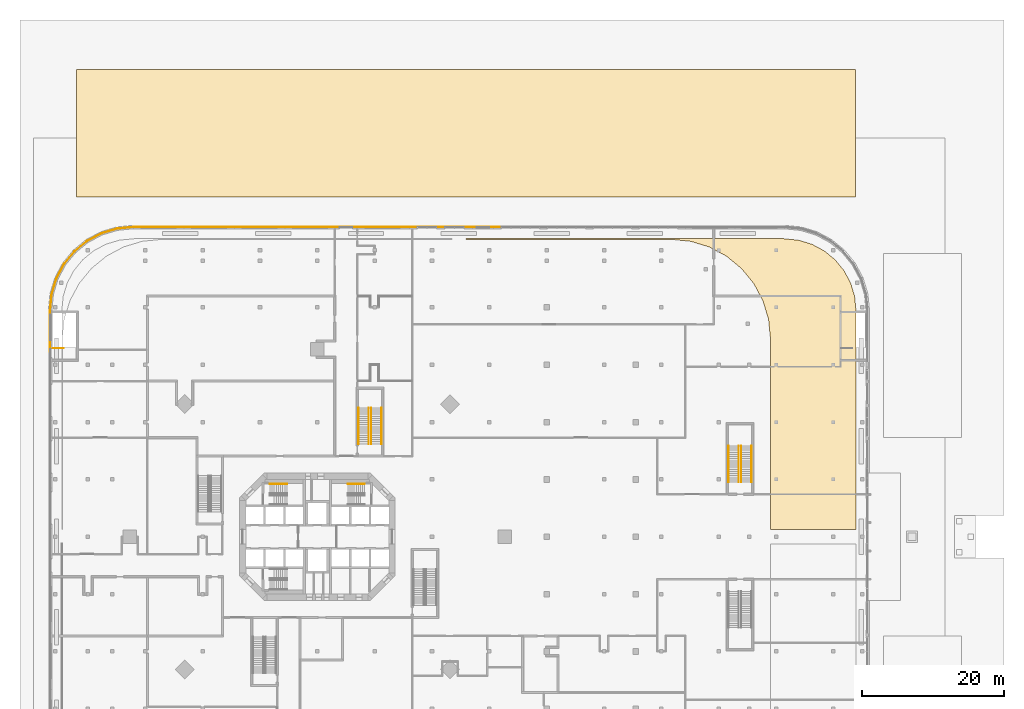
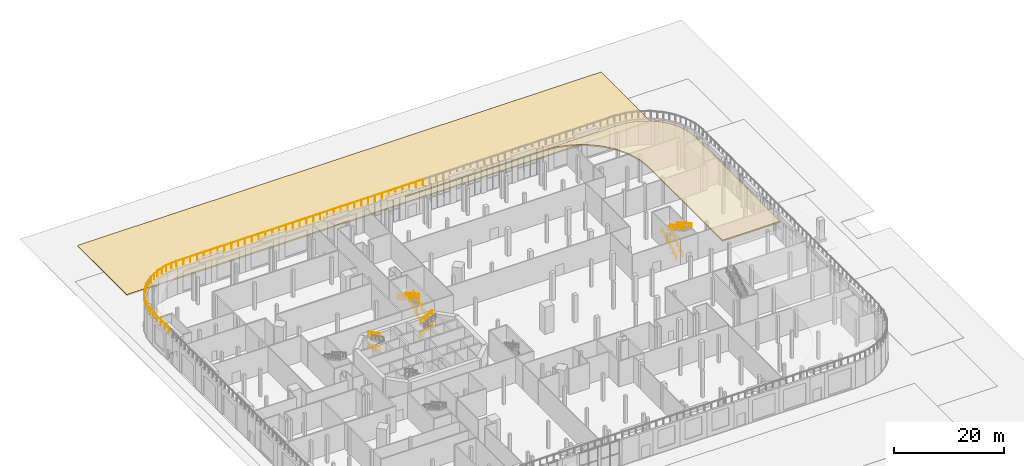
# One storey, part 30 of 32: 31 railings, 2 coverings, 2 elements without a shape of their own.
"""IFC4 building model written with IfcOpenShell, lengths in metres."""

from ifc_helpers import new_model, si_unit, direction, frame, origin, origin_2d, place, context, subcontext, project, spatial, polyline, rectangle, outline, extrude, material, layer, layer_set, type_object, element, aggregate, save


model = new_model("IFC4")

# Units and contexts
model_context = context("Model", 3, precision=1e-05, world=origin(), true_north=direction((0.0, 1.0)))
body_context = subcontext(model_context, "Body", "Model", "MODEL_VIEW")
ifc_project = project(units=[si_unit("LENGTHUNIT", "METRE"), si_unit("AREAUNIT", "SQUARE_METRE"), si_unit("VOLUMEUNIT", "CUBIC_METRE"), si_unit("PLANEANGLEUNIT", "RADIAN"), si_unit("MASSUNIT", "GRAM", prefix="KILO")], contexts=[model_context])

# Site, building, storey
site_placement = place(None, origin())
site = spatial("IfcSite", under=ifc_project, at=site_placement, CompositionType="ELEMENT")
building_placement = place(site_placement, origin())
building = spatial("IfcBuilding", under=site, at=building_placement, Name="Torre Triforio", CompositionType="ELEMENT")
storey_placement = place(building_placement, origin())
storey = spatial("IfcBuildingStorey", under=building, at=storey_placement, Name="L00", CompositionType="ELEMENT", Elevation=0.0)

# Railings
ifc_material_1 = material(Name="Stainless steel AISI 316", Category="steel")
railing_type_1 = type_object("IfcRailingType", Name="HANDRAIL 920", PredefinedType="HANDRAIL", material=ifc_material_1)
for number, where, name in (
    (1, (-4.300048828125, 7.449951171875, 1.666748046875), "Handrail ST1"),
    (2, (-4.300048828125, 7.449951171875, 4.666748046875), "Handrail ST1"),
):
    element("IfcRailing", number, at=place(storey_placement, frame(where)), inside=storey, type_object=railing_type_1, Name=name, PredefinedType="HANDRAIL", context=body_context, shape_type="SweptSolid", body=[
        extrude(rectangle(XDim=0.048095703125, YDim=0.048095703125, at=origin_2d()), frame((0.0, 0.0, 0.89599609375), z_axis=(-0.874161470802, 0.0, 0.485635380677), x_axis=(0.0, -1.0, 0.0)), (0.0, 0.0, 1.0), 2.745361328125),
        extrude(rectangle(XDim=0.0419921875, YDim=0.0419921875, at=origin_2d()), origin(), (0.0, 0.0, 1.0), 0.871826171875),
        extrude(rectangle(XDim=0.0419921875, YDim=0.0419921875, at=origin_2d()), frame((-0.800048828125, 0.0, 0.4443359375)), (0.0, 0.0, 1.0), 0.871826171875),
        extrude(rectangle(XDim=0.0419921875, YDim=0.0419921875, at=origin_2d()), frame((-1.599853515625, 0.0, 0.888916015625)), (0.0, 0.0, 1.0), 0.871826171875),
        extrude(rectangle(XDim=0.0419921875, YDim=0.0419921875, at=origin_2d()), frame((-2.39990234375, 0.0, 1.333251953125)), (0.0, 0.0, 1.0), 0.871826171875),
    ])
for number, where, name in (
    (3, (4.300048828125, 7.449951171875, 1.666748046875), "Handrail ST2"),
    (4, (4.300048828125, 7.449951171875, 4.666748046875), "Handrail ST2"),
):
    element("IfcRailing", number, at=place(storey_placement, frame(where)), inside=storey, type_object=railing_type_1, Name=name, PredefinedType="HANDRAIL", context=body_context, shape_type="SweptSolid", body=[
        extrude(rectangle(XDim=0.048095703125, YDim=0.048095703125, at=origin_2d()), frame((0.0, 0.0, 0.89599609375), z_axis=(0.874161470802, 0.0, 0.485635380677), x_axis=(0.0, 1.0, 0.0)), (0.0, 0.0, 1.0), 2.745361328125),
        extrude(rectangle(XDim=0.0419921875, YDim=0.0419921875, at=origin_2d()), origin(), (0.0, 0.0, 1.0), 0.871826171875),
        extrude(rectangle(XDim=0.0419921875, YDim=0.0419921875, at=origin_2d()), frame((0.800048828125, 0.0, 0.4443359375)), (0.0, 0.0, 1.0), 0.871826171875),
        extrude(rectangle(XDim=0.0419921875, YDim=0.0419921875, at=origin_2d()), frame((1.599853515625, 0.0, 0.888916015625)), (0.0, 0.0, 1.0), 0.871826171875),
        extrude(rectangle(XDim=0.0419921875, YDim=0.0419921875, at=origin_2d()), frame((2.39990234375, 0.0, 1.333251953125)), (0.0, 0.0, 1.0), 0.871826171875),
    ])

# Coverings
ifc_material_2 = material(Name="Planted topsoil bed")
ifc_layer = layer(ifc_material_2, 0.300048828125)
ifc_layer_set = layer_set([ifc_layer], Name="Planted topsoil bed")
covering_type = type_object("IfcCoveringType", Name="Planted bed 300", PredefinedType="FLOORING", material=ifc_layer_set)
covering_1_placement = place(storey_placement, frame((0.0, 0.0, -0.25)))
element("IfcCovering", 5, at=covering_1_placement, inside=storey, type_object=covering_type, Name="Public garden planted bed north", PredefinedType="FLOORING", context=body_context, shape_type="SweptSolid", body=[
    extrude(outline(polyline([(76.0, 48.0), (76.0, 66.0), (-34.0, 66.0), (-34.0, 48.0), (76.0, 48.0)])), origin(), (0.0, 0.0, 1.0), 0.300048828125),
])
covering_2_placement = place(storey_placement, frame((0.0, 0.0, 6.0)))
element("IfcCovering", 6, at=covering_2_placement, inside=storey, type_object=covering_type, Name="Terrace T1 planted bed 4", PredefinedType="FLOORING", context=body_context, shape_type="SweptSolid", body=[
    extrude(outline(polyline([(65.90673828125, 42.10009765625), (67.968505859375, 41.89697265625), (69.861572265625, 41.32275390625), (71.606201171875, 40.39013671875), (73.13525390625, 39.13525390625), (74.39013671875, 37.606201171875), (75.32275390625, 35.861572265625), (75.89697265625, 33.968505859375), (76.10009765625, 31.90673828125), (76.10009765625, 1.0), (64.0, 1.0), (64.0, 28.098388671875), (63.740478515625, 30.733154296875), (62.943359375, 33.361328125), (61.648681640625, 35.783447265625), (59.90625, 37.90625), (57.783447265625, 39.648681640625), (55.361328125, 40.943359375), (52.733154296875, 41.740478515625), (50.098388671875, 42.0), (21.0, 42.0), (21.0, 42.10009765625), (65.90673828125, 42.10009765625)])), origin(), (0.0, 0.0, 1.0), 0.300048828125),
])

# Stair, railings
ifc_material_3 = material(Name="Concrete C40", Category="concrete")
stair_type = type_object("IfcStairType", Name="Egress stair 1400 clear", PredefinedType="NOTDEFINED", material=ifc_material_3)
stair_1_placement = place(storey_placement, origin())
stair_1 = element("IfcStair", 7, at=stair_1_placement, inside=storey, type_object=stair_type, Name="Exit stair PS4 L00 to L01", PredefinedType="NOTDEFINED")
railing_type_2 = type_object("IfcRailingType", Name="Stair handrail 920", PredefinedType="HANDRAIL", material=ifc_material_1)
railing_1_placement = place(storey_placement, frame((7.625, 13.125, 0.166748046875)))
railing_1 = element("IfcRailing", 8, at=railing_1_placement, type_object=railing_type_2, Name="Handrail PS4", PredefinedType="HANDRAIL", context=body_context, shape_type="SweptSolid", body=[
    extrude(rectangle(XDim=0.048095703125, YDim=0.048095703125, at=origin_2d()), frame((0.0, 0.0, 0.89599609375), z_axis=(0.0, 0.874167145328, 0.485625166182), x_axis=(-1.0, 0.0, 0.0)), (0.0, 0.0, 1.0), 5.834228515625),
    extrude(rectangle(XDim=0.0419921875, YDim=0.0419921875, at=origin_2d()), origin(), (0.0, 0.0, 1.0), 0.871826171875),
    extrude(rectangle(XDim=0.0419921875, YDim=0.0419921875, at=origin_2d()), frame((0.0, 1.02001953125, 0.566650390625)), (0.0, 0.0, 1.0), 0.871826171875),
    extrude(rectangle(XDim=0.0419921875, YDim=0.0419921875, at=origin_2d()), frame((0.0, 2.0400390625, 1.13330078125)), (0.0, 0.0, 1.0), 0.871826171875),
    extrude(rectangle(XDim=0.0419921875, YDim=0.0419921875, at=origin_2d()), frame((0.0, 3.06005859375, 1.699951171875)), (0.0, 0.0, 1.0), 0.871826171875),
    extrude(rectangle(XDim=0.0419921875, YDim=0.0419921875, at=origin_2d()), frame((0.0, 4.080078125, 2.2666015625)), (0.0, 0.0, 1.0), 0.871826171875),
    extrude(rectangle(XDim=0.0419921875, YDim=0.0419921875, at=origin_2d()), frame((0.0, 5.10009765625, 2.833251953125)), (0.0, 0.0, 1.0), 0.871826171875),
])
railing_2_placement = place(storey_placement, frame((9.074951171875, 13.125, 0.166748046875)))
railing_2 = element("IfcRailing", 9, at=railing_2_placement, type_object=railing_type_2, Name="Handrail PS4", PredefinedType="HANDRAIL", context=body_context, shape_type="SweptSolid", body=[
    extrude(rectangle(XDim=0.048095703125, YDim=0.048095703125, at=origin_2d()), frame((0.0, 0.0, 0.89599609375), z_axis=(0.0, 0.874167145328, 0.485625166182), x_axis=(-1.0, 0.0, 0.0)), (0.0, 0.0, 1.0), 5.834228515625),
    extrude(rectangle(XDim=0.0419921875, YDim=0.0419921875, at=origin_2d()), origin(), (0.0, 0.0, 1.0), 0.871826171875),
    extrude(rectangle(XDim=0.0419921875, YDim=0.0419921875, at=origin_2d()), frame((0.0, 1.02001953125, 0.566650390625)), (0.0, 0.0, 1.0), 0.871826171875),
    extrude(rectangle(XDim=0.0419921875, YDim=0.0419921875, at=origin_2d()), frame((0.0, 2.0400390625, 1.13330078125)), (0.0, 0.0, 1.0), 0.871826171875),
    extrude(rectangle(XDim=0.0419921875, YDim=0.0419921875, at=origin_2d()), frame((0.0, 3.06005859375, 1.699951171875)), (0.0, 0.0, 1.0), 0.871826171875),
    extrude(rectangle(XDim=0.0419921875, YDim=0.0419921875, at=origin_2d()), frame((0.0, 4.080078125, 2.2666015625)), (0.0, 0.0, 1.0), 0.871826171875),
    extrude(rectangle(XDim=0.0419921875, YDim=0.0419921875, at=origin_2d()), frame((0.0, 5.10009765625, 2.833251953125)), (0.0, 0.0, 1.0), 0.871826171875),
])
railing_3_placement = place(storey_placement, frame((5.824951171875, 18.22509765625, 3.166748046875)))
railing_3 = element("IfcRailing", 10, at=railing_3_placement, type_object=railing_type_2, Name="Handrail PS4", PredefinedType="HANDRAIL", context=body_context, shape_type="SweptSolid", body=[
    extrude(rectangle(XDim=0.048095703125, YDim=0.048095703125, at=origin_2d()), frame((0.0, 0.0, 0.89599609375), z_axis=(0.0, -0.874167145328, 0.485625166182), x_axis=(1.0, 0.0, 0.0)), (0.0, 0.0, 1.0), 5.834228515625),
    extrude(rectangle(XDim=0.0419921875, YDim=0.0419921875, at=origin_2d()), origin(), (0.0, 0.0, 1.0), 0.871826171875),
    extrude(rectangle(XDim=0.0419921875, YDim=0.0419921875, at=origin_2d()), frame((0.0, -1.02001953125, 0.566650390625)), (0.0, 0.0, 1.0), 0.871826171875),
    extrude(rectangle(XDim=0.0419921875, YDim=0.0419921875, at=origin_2d()), frame((0.0, -2.0400390625, 1.13330078125)), (0.0, 0.0, 1.0), 0.871826171875),
    extrude(rectangle(XDim=0.0419921875, YDim=0.0419921875, at=origin_2d()), frame((0.0, -3.06005859375, 1.699951171875)), (0.0, 0.0, 1.0), 0.871826171875),
    extrude(rectangle(XDim=0.0419921875, YDim=0.0419921875, at=origin_2d()), frame((0.0, -4.080078125, 2.2666015625)), (0.0, 0.0, 1.0), 0.871826171875),
    extrude(rectangle(XDim=0.0419921875, YDim=0.0419921875, at=origin_2d()), frame((0.0, -5.10009765625, 2.833251953125)), (0.0, 0.0, 1.0), 0.871826171875),
])
railing_4_placement = place(storey_placement, frame((7.27490234375, 18.22509765625, 3.166748046875)))
railing_4 = element("IfcRailing", 11, at=railing_4_placement, type_object=railing_type_2, Name="Handrail PS4", PredefinedType="HANDRAIL", context=body_context, shape_type="SweptSolid", body=[
    extrude(rectangle(XDim=0.048095703125, YDim=0.048095703125, at=origin_2d()), frame((0.0, 0.0, 0.89599609375), z_axis=(0.0, -0.874167145328, 0.485625166182), x_axis=(1.0, 0.0, 0.0)), (0.0, 0.0, 1.0), 5.834228515625),
    extrude(rectangle(XDim=0.0419921875, YDim=0.0419921875, at=origin_2d()), origin(), (0.0, 0.0, 1.0), 0.871826171875),
    extrude(rectangle(XDim=0.0419921875, YDim=0.0419921875, at=origin_2d()), frame((0.0, -1.02001953125, 0.566650390625)), (0.0, 0.0, 1.0), 0.871826171875),
    extrude(rectangle(XDim=0.0419921875, YDim=0.0419921875, at=origin_2d()), frame((0.0, -2.0400390625, 1.13330078125)), (0.0, 0.0, 1.0), 0.871826171875),
    extrude(rectangle(XDim=0.0419921875, YDim=0.0419921875, at=origin_2d()), frame((0.0, -3.06005859375, 1.699951171875)), (0.0, 0.0, 1.0), 0.871826171875),
    extrude(rectangle(XDim=0.0419921875, YDim=0.0419921875, at=origin_2d()), frame((0.0, -4.080078125, 2.2666015625)), (0.0, 0.0, 1.0), 0.871826171875),
    extrude(rectangle(XDim=0.0419921875, YDim=0.0419921875, at=origin_2d()), frame((0.0, -5.10009765625, 2.833251953125)), (0.0, 0.0, 1.0), 0.871826171875),
])
aggregate(stair_1, [railing_1, railing_2, railing_3, railing_4])

stair_2_placement = place(storey_placement, origin())
stair_2 = element("IfcStair", 12, at=stair_2_placement, inside=storey, type_object=stair_type, Name="Exit stair PS5 L00 to L01", PredefinedType="NOTDEFINED")
railing_5_placement = place(storey_placement, frame((58.074951171875, 7.72509765625, 0.166748046875)))
railing_5 = element("IfcRailing", 13, at=railing_5_placement, type_object=railing_type_2, Name="Handrail PS5", PredefinedType="HANDRAIL", context=body_context, shape_type="SweptSolid", body=[
    extrude(rectangle(XDim=0.048095703125, YDim=0.048095703125, at=origin_2d()), frame((0.0, 0.0, 0.89599609375), z_axis=(0.0, 0.874157276122, 0.485642931179), x_axis=(-1.0, 0.0, 0.0)), (0.0, 0.0, 1.0), 5.833984375),
    extrude(rectangle(XDim=0.0419921875, YDim=0.0419921875, at=origin_2d()), origin(), (0.0, 0.0, 1.0), 0.871826171875),
    extrude(rectangle(XDim=0.0419921875, YDim=0.0419921875, at=origin_2d()), frame((0.0, 1.02001953125, 0.566650390625)), (0.0, 0.0, 1.0), 0.871826171875),
    extrude(rectangle(XDim=0.0419921875, YDim=0.0419921875, at=origin_2d()), frame((0.0, 2.0400390625, 1.13330078125)), (0.0, 0.0, 1.0), 0.871826171875),
    extrude(rectangle(XDim=0.0419921875, YDim=0.0419921875, at=origin_2d()), frame((0.0, 3.059814453125, 1.699951171875)), (0.0, 0.0, 1.0), 0.871826171875),
    extrude(rectangle(XDim=0.0419921875, YDim=0.0419921875, at=origin_2d()), frame((0.0, 4.079833984375, 2.2666015625)), (0.0, 0.0, 1.0), 0.871826171875),
    extrude(rectangle(XDim=0.0419921875, YDim=0.0419921875, at=origin_2d()), frame((0.0, 5.099853515625, 2.833251953125)), (0.0, 0.0, 1.0), 0.871826171875),
])
railing_6_placement = place(storey_placement, frame((59.52490234375, 7.72509765625, 0.166748046875)))
railing_6 = element("IfcRailing", 14, at=railing_6_placement, type_object=railing_type_2, Name="Handrail PS5", PredefinedType="HANDRAIL", context=body_context, shape_type="SweptSolid", body=[
    extrude(rectangle(XDim=0.048095703125, YDim=0.048095703125, at=origin_2d()), frame((0.0, 0.0, 0.89599609375), z_axis=(0.0, 0.874157276122, 0.485642931179), x_axis=(-1.0, 0.0, 0.0)), (0.0, 0.0, 1.0), 5.833984375),
    extrude(rectangle(XDim=0.0419921875, YDim=0.0419921875, at=origin_2d()), origin(), (0.0, 0.0, 1.0), 0.871826171875),
    extrude(rectangle(XDim=0.0419921875, YDim=0.0419921875, at=origin_2d()), frame((0.0, 1.02001953125, 0.566650390625)), (0.0, 0.0, 1.0), 0.871826171875),
    extrude(rectangle(XDim=0.0419921875, YDim=0.0419921875, at=origin_2d()), frame((0.0, 2.0400390625, 1.13330078125)), (0.0, 0.0, 1.0), 0.871826171875),
    extrude(rectangle(XDim=0.0419921875, YDim=0.0419921875, at=origin_2d()), frame((0.0, 3.059814453125, 1.699951171875)), (0.0, 0.0, 1.0), 0.871826171875),
    extrude(rectangle(XDim=0.0419921875, YDim=0.0419921875, at=origin_2d()), frame((0.0, 4.079833984375, 2.2666015625)), (0.0, 0.0, 1.0), 0.871826171875),
    extrude(rectangle(XDim=0.0419921875, YDim=0.0419921875, at=origin_2d()), frame((0.0, 5.099853515625, 2.833251953125)), (0.0, 0.0, 1.0), 0.871826171875),
])
railing_7_placement = place(storey_placement, frame((59.875, 12.824951171875, 3.166748046875)))
railing_7 = element("IfcRailing", 15, at=railing_7_placement, type_object=railing_type_2, Name="Handrail PS5", PredefinedType="HANDRAIL", context=body_context, shape_type="SweptSolid", body=[
    extrude(rectangle(XDim=0.048095703125, YDim=0.048095703125, at=origin_2d()), frame((0.0, 0.0, 0.89599609375), z_axis=(0.0, -0.874157276122, 0.485642931179), x_axis=(1.0, 0.0, 0.0)), (0.0, 0.0, 1.0), 5.833984375),
    extrude(rectangle(XDim=0.0419921875, YDim=0.0419921875, at=origin_2d()), origin(), (0.0, 0.0, 1.0), 0.871826171875),
    extrude(rectangle(XDim=0.0419921875, YDim=0.0419921875, at=origin_2d()), frame((0.0, -1.02001953125, 0.566650390625)), (0.0, 0.0, 1.0), 0.871826171875),
    extrude(rectangle(XDim=0.0419921875, YDim=0.0419921875, at=origin_2d()), frame((0.0, -2.0400390625, 1.13330078125)), (0.0, 0.0, 1.0), 0.871826171875),
    extrude(rectangle(XDim=0.0419921875, YDim=0.0419921875, at=origin_2d()), frame((0.0, -3.059814453125, 1.699951171875)), (0.0, 0.0, 1.0), 0.871826171875),
    extrude(rectangle(XDim=0.0419921875, YDim=0.0419921875, at=origin_2d()), frame((0.0, -4.079833984375, 2.2666015625)), (0.0, 0.0, 1.0), 0.871826171875),
    extrude(rectangle(XDim=0.0419921875, YDim=0.0419921875, at=origin_2d()), frame((0.0, -5.099853515625, 2.833251953125)), (0.0, 0.0, 1.0), 0.871826171875),
])
railing_8_placement = place(storey_placement, frame((61.324951171875, 12.824951171875, 3.166748046875)))
railing_8 = element("IfcRailing", 16, at=railing_8_placement, type_object=railing_type_2, Name="Handrail PS5", PredefinedType="HANDRAIL", context=body_context, shape_type="SweptSolid", body=[
    extrude(rectangle(XDim=0.048095703125, YDim=0.048095703125, at=origin_2d()), frame((0.0, 0.0, 0.89599609375), z_axis=(0.0, -0.874157276122, 0.485642931179), x_axis=(1.0, 0.0, 0.0)), (0.0, 0.0, 1.0), 5.833984375),
    extrude(rectangle(XDim=0.0419921875, YDim=0.0419921875, at=origin_2d()), origin(), (0.0, 0.0, 1.0), 0.871826171875),
    extrude(rectangle(XDim=0.0419921875, YDim=0.0419921875, at=origin_2d()), frame((0.0, -1.02001953125, 0.566650390625)), (0.0, 0.0, 1.0), 0.871826171875),
    extrude(rectangle(XDim=0.0419921875, YDim=0.0419921875, at=origin_2d()), frame((0.0, -2.0400390625, 1.13330078125)), (0.0, 0.0, 1.0), 0.871826171875),
    extrude(rectangle(XDim=0.0419921875, YDim=0.0419921875, at=origin_2d()), frame((0.0, -3.059814453125, 1.699951171875)), (0.0, 0.0, 1.0), 0.871826171875),
    extrude(rectangle(XDim=0.0419921875, YDim=0.0419921875, at=origin_2d()), frame((0.0, -4.079833984375, 2.2666015625)), (0.0, 0.0, 1.0), 0.871826171875),
    extrude(rectangle(XDim=0.0419921875, YDim=0.0419921875, at=origin_2d()), frame((0.0, -5.099853515625, 2.833251953125)), (0.0, 0.0, 1.0), 0.871826171875),
])
aggregate(stair_2, [railing_5, railing_6, railing_7, railing_8])

# Railings
railing_type_3 = type_object("IfcRailingType", Name="Stair well guard 1100", PredefinedType="GUARDRAIL", material=ifc_material_1)
railing_9_placement = place(storey_placement, frame((-37.375, 26.625, 0.0)))
element("IfcRailing", 17, at=railing_9_placement, inside=storey, type_object=railing_type_3, Name="Guard BS2 L00", PredefinedType="GUARDRAIL", context=body_context, shape_type="SweptSolid", body=[
    extrude(rectangle(XDim=0.048095703125, YDim=0.048095703125, at=origin_2d()), frame((0.0, 0.0, 1.076171875), z_axis=(1.0, 0.0, 0.0), x_axis=(0.0, 1.0, 0.0)), (0.0, 0.0, 1.0), 1.550048828125),
    extrude(rectangle(XDim=0.0419921875, YDim=0.0419921875, at=origin_2d()), origin(), (0.0, 0.0, 1.0), 1.052001953125),
    extrude(rectangle(XDim=0.0419921875, YDim=0.0419921875, at=origin_2d()), frame((0.77490234375, 0.0, 0.0)), (0.0, 0.0, 1.0), 1.052001953125),
    extrude(rectangle(XDim=0.0419921875, YDim=0.0419921875, at=origin_2d()), frame((1.550048828125, 0.0, 0.0)), (0.0, 0.0, 1.0), 1.052001953125),
])
railing_type_4 = type_object("IfcRailingType", Name="Terrace balustrade 1300", PredefinedType="BALUSTRADE", material=ifc_material_1)
for number, where, name in (
    (18, (25.74853515625, 43.75, 6.0), "Terrace T1 balustrade 18.8"),
    (19, (20.0, 43.75, 6.0), "Terrace T1 balustrade 18.9"),
):
    element("IfcRailing", number, at=place(storey_placement, frame(where)), inside=storey, type_object=railing_type_4, Name=name, PredefinedType="BALUSTRADE", context=body_context, shape_type="SweptSolid", body=[
        extrude(rectangle(XDim=0.050048828125, YDim=0.050048828125, at=origin_2d()), frame((0.0, 0.0, 1.27490234375), z_axis=(-1.0, 0.0, 0.0), x_axis=(0.0, -1.0, 0.0)), (0.0, 0.0, 1.0), 5.74853515625),
        extrude(rectangle(XDim=0.0400390625, YDim=0.0400390625, at=origin_2d()), origin(), (0.0, 0.0, 1.0), 1.25),
        extrude(rectangle(XDim=0.0400390625, YDim=0.0400390625, at=origin_2d()), frame((-1.43701171875, 0.0, 0.0)), (0.0, 0.0, 1.0), 1.25),
        extrude(rectangle(XDim=0.0400390625, YDim=0.0400390625, at=origin_2d()), frame((-2.874267578125, 0.0, 0.0)), (0.0, 0.0, 1.0), 1.25),
        extrude(rectangle(XDim=0.0400390625, YDim=0.0400390625, at=origin_2d()), frame((-4.3115234375, 0.0, 0.0)), (0.0, 0.0, 1.0), 1.25),
        extrude(rectangle(XDim=0.0400390625, YDim=0.0400390625, at=origin_2d()), frame((-5.74853515625, 0.0, 0.0)), (0.0, 0.0, 1.0), 1.25),
    ])
railing_10_placement = place(storey_placement, frame((14.25146484375, 43.75, 6.0)))
element("IfcRailing", 20, at=railing_10_placement, inside=storey, type_object=railing_type_4, Name="Terrace T1 balustrade 18.10", PredefinedType="BALUSTRADE", context=body_context, shape_type="SweptSolid", body=[
    extrude(rectangle(XDim=0.050048828125, YDim=0.050048828125, at=origin_2d()), frame((0.0, 0.0, 1.27490234375), z_axis=(-1.0, 0.0, 0.0), x_axis=(0.0, -1.0, 0.0)), (0.0, 0.0, 1.0), 5.748291015625),
    extrude(rectangle(XDim=0.0400390625, YDim=0.0400390625, at=origin_2d()), origin(), (0.0, 0.0, 1.0), 1.25),
    extrude(rectangle(XDim=0.0400390625, YDim=0.0400390625, at=origin_2d()), frame((-1.43701171875, 0.0, 0.0)), (0.0, 0.0, 1.0), 1.25),
    extrude(rectangle(XDim=0.0400390625, YDim=0.0400390625, at=origin_2d()), frame((-2.8740234375, 0.0, 0.0)), (0.0, 0.0, 1.0), 1.25),
    extrude(rectangle(XDim=0.0400390625, YDim=0.0400390625, at=origin_2d()), frame((-4.311279296875, 0.0, 0.0)), (0.0, 0.0, 1.0), 1.25),
    extrude(rectangle(XDim=0.0400390625, YDim=0.0400390625, at=origin_2d()), frame((-5.748291015625, 0.0, 0.0)), (0.0, 0.0, 1.0), 1.25),
])
for number, where, name in (
    (21, (8.503173828125, 43.75, 6.0), "Terrace T1 balustrade 18.11"),
    (22, (2.754638671875, 43.75, 6.0), "Terrace T1 balustrade 18.12"),
):
    element("IfcRailing", number, at=place(storey_placement, frame(where)), inside=storey, type_object=railing_type_4, Name=name, PredefinedType="BALUSTRADE", context=body_context, shape_type="SweptSolid", body=[
        extrude(rectangle(XDim=0.050048828125, YDim=0.050048828125, at=origin_2d()), frame((0.0, 0.0, 1.27490234375), z_axis=(-1.0, 0.0, 0.0), x_axis=(0.0, -1.0, 0.0)), (0.0, 0.0, 1.0), 5.74853515625),
        extrude(rectangle(XDim=0.0400390625, YDim=0.0400390625, at=origin_2d()), origin(), (0.0, 0.0, 1.0), 1.25),
        extrude(rectangle(XDim=0.0400390625, YDim=0.0400390625, at=origin_2d()), frame((-1.43701171875, 0.0, 0.0)), (0.0, 0.0, 1.0), 1.25),
        extrude(rectangle(XDim=0.0400390625, YDim=0.0400390625, at=origin_2d()), frame((-2.874267578125, 0.0, 0.0)), (0.0, 0.0, 1.0), 1.25),
        extrude(rectangle(XDim=0.0400390625, YDim=0.0400390625, at=origin_2d()), frame((-4.3115234375, 0.0, 0.0)), (0.0, 0.0, 1.0), 1.25),
        extrude(rectangle(XDim=0.0400390625, YDim=0.0400390625, at=origin_2d()), frame((-5.74853515625, 0.0, 0.0)), (0.0, 0.0, 1.0), 1.25),
    ])
railing_11_placement = place(storey_placement, frame((-2.993896484375, 43.75, 6.0)))
element("IfcRailing", 23, at=railing_11_placement, inside=storey, type_object=railing_type_4, Name="Terrace T1 balustrade 18.13", PredefinedType="BALUSTRADE", context=body_context, shape_type="SweptSolid", body=[
    extrude(rectangle(XDim=0.050048828125, YDim=0.050048828125, at=origin_2d()), frame((0.0, 0.0, 1.27490234375), z_axis=(-1.0, 0.0, 0.0), x_axis=(0.0, -1.0, 0.0)), (0.0, 0.0, 1.0), 5.748291015625),
    extrude(rectangle(XDim=0.0400390625, YDim=0.0400390625, at=origin_2d()), origin(), (0.0, 0.0, 1.0), 1.25),
    extrude(rectangle(XDim=0.0400390625, YDim=0.0400390625, at=origin_2d()), frame((-1.43701171875, 0.0, 0.0)), (0.0, 0.0, 1.0), 1.25),
    extrude(rectangle(XDim=0.0400390625, YDim=0.0400390625, at=origin_2d()), frame((-2.8740234375, 0.0, 0.0)), (0.0, 0.0, 1.0), 1.25),
    extrude(rectangle(XDim=0.0400390625, YDim=0.0400390625, at=origin_2d()), frame((-4.311279296875, 0.0, 0.0)), (0.0, 0.0, 1.0), 1.25),
    extrude(rectangle(XDim=0.0400390625, YDim=0.0400390625, at=origin_2d()), frame((-5.748291015625, 0.0, 0.0)), (0.0, 0.0, 1.0), 1.25),
])
for number, where, name in (
    (24, (-8.7421875, 43.75, 6.0), "Terrace T1 balustrade 18.14"),
    (25, (-14.49072265625, 43.75, 6.0), "Terrace T1 balustrade 18.15"),
    (26, (-20.2392578125, 43.75, 6.0), "Terrace T1 balustrade 18.16"),
):
    element("IfcRailing", number, at=place(storey_placement, frame(where)), inside=storey, type_object=railing_type_4, Name=name, PredefinedType="BALUSTRADE", context=body_context, shape_type="SweptSolid", body=[
        extrude(rectangle(XDim=0.050048828125, YDim=0.050048828125, at=origin_2d()), frame((0.0, 0.0, 1.27490234375), z_axis=(-1.0, 0.0, 0.0), x_axis=(0.0, -1.0, 0.0)), (0.0, 0.0, 1.0), 5.74853515625),
        extrude(rectangle(XDim=0.0400390625, YDim=0.0400390625, at=origin_2d()), origin(), (0.0, 0.0, 1.0), 1.25),
        extrude(rectangle(XDim=0.0400390625, YDim=0.0400390625, at=origin_2d()), frame((-1.43701171875, 0.0, 0.0)), (0.0, 0.0, 1.0), 1.25),
        extrude(rectangle(XDim=0.0400390625, YDim=0.0400390625, at=origin_2d()), frame((-2.874267578125, 0.0, 0.0)), (0.0, 0.0, 1.0), 1.25),
        extrude(rectangle(XDim=0.0400390625, YDim=0.0400390625, at=origin_2d()), frame((-4.3115234375, 0.0, 0.0)), (0.0, 0.0, 1.0), 1.25),
        extrude(rectangle(XDim=0.0400390625, YDim=0.0400390625, at=origin_2d()), frame((-5.74853515625, 0.0, 0.0)), (0.0, 0.0, 1.0), 1.25),
    ])
railing_12_placement = place(storey_placement, frame((-25.98779296875, 43.75, 6.0)))
element("IfcRailing", 27, at=railing_12_placement, inside=storey, type_object=railing_type_4, Name="Terrace T1 balustrade 19", PredefinedType="BALUSTRADE", context=body_context, shape_type="SweptSolid", body=[
    extrude(rectangle(XDim=0.050048828125, YDim=0.050048828125, at=origin_2d()), frame((0.0, 0.0, 1.27490234375), z_axis=(-0.99518021916, -0.098062895086, 0.0), x_axis=(0.098062895086, -0.99518021916, 0.0)), (0.0, 0.0, 1.0), 2.3154296875),
    extrude(rectangle(XDim=0.0400390625, YDim=0.0400390625, at=origin_2d()), origin(), (0.0, 0.0, 1.0), 1.25),
    extrude(rectangle(XDim=0.0400390625, YDim=0.0400390625, at=origin_2d()), frame((-1.152099609375, -0.113525390625, 0.0)), (0.0, 0.0, 1.0), 1.25),
    extrude(rectangle(XDim=0.0400390625, YDim=0.0400390625, at=origin_2d()), frame((-2.30419921875, -0.22705078125, 0.0)), (0.0, 0.0, 1.0), 1.25),
])
railing_13_placement = place(storey_placement, frame((-28.2919921875, 43.52294921875, 6.0)))
element("IfcRailing", 28, at=railing_13_placement, inside=storey, type_object=railing_type_4, Name="Terrace T1 balustrade 20", PredefinedType="BALUSTRADE", context=body_context, shape_type="SweptSolid", body=[
    extrude(rectangle(XDim=0.050048828125, YDim=0.050048828125, at=origin_2d()), frame((0.0, 0.0, 1.27490234375), z_axis=(-0.956958408929, -0.290225091232, 0.0), x_axis=(0.290225091232, -0.956958408929, 0.0)), (0.0, 0.0, 1.0), 2.30322265625),
    extrude(rectangle(XDim=0.0400390625, YDim=0.0400390625, at=origin_2d()), origin(), (0.0, 0.0, 1.0), 1.25),
    extrude(rectangle(XDim=0.0400390625, YDim=0.0400390625, at=origin_2d()), frame((-1.10205078125, -0.334228515625, 0.0)), (0.0, 0.0, 1.0), 1.25),
    extrude(rectangle(XDim=0.0400390625, YDim=0.0400390625, at=origin_2d()), frame((-2.2041015625, -0.66845703125, 0.0)), (0.0, 0.0, 1.0), 1.25),
])
railing_14_placement = place(storey_placement, frame((-30.49609375, 42.8544921875, 6.0)))
element("IfcRailing", 29, at=railing_14_placement, inside=storey, type_object=railing_type_4, Name="Terrace T1 balustrade 21", PredefinedType="BALUSTRADE", context=body_context, shape_type="SweptSolid", body=[
    extrude(rectangle(XDim=0.050048828125, YDim=0.050048828125, at=origin_2d()), frame((0.0, 0.0, 1.27490234375), z_axis=(-0.881927109982, -0.471385800251, 0.0), x_axis=(0.471385800251, -0.881927109982, 0.0)), (0.0, 0.0, 1.0), 2.30322265625),
    extrude(rectangle(XDim=0.0400390625, YDim=0.0400390625, at=origin_2d()), origin(), (0.0, 0.0, 1.0), 1.25),
    extrude(rectangle(XDim=0.0400390625, YDim=0.0400390625, at=origin_2d()), frame((-1.015625, -0.54296875, 0.0)), (0.0, 0.0, 1.0), 1.25),
    extrude(rectangle(XDim=0.0400390625, YDim=0.0400390625, at=origin_2d()), frame((-2.03125, -1.085693359375, 0.0)), (0.0, 0.0, 1.0), 1.25),
])
railing_15_placement = place(storey_placement, frame((-32.52734375, 41.768798828125, 6.0)))
element("IfcRailing", 30, at=railing_15_placement, inside=storey, type_object=railing_type_4, Name="Terrace T1 balustrade 22", PredefinedType="BALUSTRADE", context=body_context, shape_type="SweptSolid", body=[
    extrude(rectangle(XDim=0.050048828125, YDim=0.050048828125, at=origin_2d()), frame((0.0, 0.0, 1.27490234375), z_axis=(-0.772978729137, -0.634431938273, 0.0), x_axis=(0.634431938273, -0.772978729137, 0.0)), (0.0, 0.0, 1.0), 2.30322265625),
    extrude(rectangle(XDim=0.0400390625, YDim=0.0400390625, at=origin_2d()), origin(), (0.0, 0.0, 1.0), 1.25),
    extrude(rectangle(XDim=0.0400390625, YDim=0.0400390625, at=origin_2d()), frame((-0.89013671875, -0.73046875, 0.0)), (0.0, 0.0, 1.0), 1.25),
    extrude(rectangle(XDim=0.0400390625, YDim=0.0400390625, at=origin_2d()), frame((-1.7802734375, -1.461181640625, 0.0)), (0.0, 0.0, 1.0), 1.25),
])
railing_16_placement = place(storey_placement, frame((-34.3076171875, 40.3076171875, 6.0)))
element("IfcRailing", 31, at=railing_16_placement, inside=storey, type_object=railing_type_4, Name="Terrace T1 balustrade 23", PredefinedType="BALUSTRADE", context=body_context, shape_type="SweptSolid", body=[
    extrude(rectangle(XDim=0.050048828125, YDim=0.050048828125, at=origin_2d()), frame((0.0, 0.0, 1.27490234375), z_axis=(-0.634431938273, -0.772978729137, 0.0), x_axis=(0.772978729137, -0.634431938273, 0.0)), (0.0, 0.0, 1.0), 2.30322265625),
    extrude(rectangle(XDim=0.0400390625, YDim=0.0400390625, at=origin_2d()), origin(), (0.0, 0.0, 1.0), 1.25),
    extrude(rectangle(XDim=0.0400390625, YDim=0.0400390625, at=origin_2d()), frame((-0.73046875, -0.89013671875, 0.0)), (0.0, 0.0, 1.0), 1.25),
    extrude(rectangle(XDim=0.0400390625, YDim=0.0400390625, at=origin_2d()), frame((-1.461181640625, -1.7802734375, 0.0)), (0.0, 0.0, 1.0), 1.25),
])
railing_17_placement = place(storey_placement, frame((-35.768798828125, 38.52734375, 6.0)))
element("IfcRailing", 32, at=railing_17_placement, inside=storey, type_object=railing_type_4, Name="Terrace T1 balustrade 24", PredefinedType="BALUSTRADE", context=body_context, shape_type="SweptSolid", body=[
    extrude(rectangle(XDim=0.050048828125, YDim=0.050048828125, at=origin_2d()), frame((0.0, 0.0, 1.27490234375), z_axis=(-0.471385800251, -0.881927109982, 0.0), x_axis=(0.881927109982, -0.471385800251, 0.0)), (0.0, 0.0, 1.0), 2.30322265625),
    extrude(rectangle(XDim=0.0400390625, YDim=0.0400390625, at=origin_2d()), origin(), (0.0, 0.0, 1.0), 1.25),
    extrude(rectangle(XDim=0.0400390625, YDim=0.0400390625, at=origin_2d()), frame((-0.54296875, -1.015625, 0.0)), (0.0, 0.0, 1.0), 1.25),
    extrude(rectangle(XDim=0.0400390625, YDim=0.0400390625, at=origin_2d()), frame((-1.085693359375, -2.03125, 0.0)), (0.0, 0.0, 1.0), 1.25),
])
railing_18_placement = place(storey_placement, frame((-36.8544921875, 36.49609375, 6.0)))
element("IfcRailing", 33, at=railing_18_placement, inside=storey, type_object=railing_type_4, Name="Terrace T1 balustrade 25", PredefinedType="BALUSTRADE", context=body_context, shape_type="SweptSolid", body=[
    extrude(rectangle(XDim=0.050048828125, YDim=0.050048828125, at=origin_2d()), frame((0.0, 0.0, 1.27490234375), z_axis=(-0.290225091232, -0.956958408929, 0.0), x_axis=(0.956958408929, -0.290225091232, 0.0)), (0.0, 0.0, 1.0), 2.30322265625),
    extrude(rectangle(XDim=0.0400390625, YDim=0.0400390625, at=origin_2d()), origin(), (0.0, 0.0, 1.0), 1.25),
    extrude(rectangle(XDim=0.0400390625, YDim=0.0400390625, at=origin_2d()), frame((-0.334228515625, -1.10205078125, 0.0)), (0.0, 0.0, 1.0), 1.25),
    extrude(rectangle(XDim=0.0400390625, YDim=0.0400390625, at=origin_2d()), frame((-0.66845703125, -2.2041015625, 0.0)), (0.0, 0.0, 1.0), 1.25),
])
railing_19_placement = place(storey_placement, frame((-37.52294921875, 34.2919921875, 6.0)))
element("IfcRailing", 34, at=railing_19_placement, inside=storey, type_object=railing_type_4, Name="Terrace T1 balustrade 26", PredefinedType="BALUSTRADE", context=body_context, shape_type="SweptSolid", body=[
    extrude(rectangle(XDim=0.050048828125, YDim=0.050048828125, at=origin_2d()), frame((0.0, 0.0, 1.27490234375), z_axis=(-0.098062895086, -0.99518021916, 0.0), x_axis=(0.99518021916, -0.098062895086, 0.0)), (0.0, 0.0, 1.0), 2.3154296875),
    extrude(rectangle(XDim=0.0400390625, YDim=0.0400390625, at=origin_2d()), origin(), (0.0, 0.0, 1.0), 1.25),
    extrude(rectangle(XDim=0.0400390625, YDim=0.0400390625, at=origin_2d()), frame((-0.113525390625, -1.152099609375, 0.0)), (0.0, 0.0, 1.0), 1.25),
    extrude(rectangle(XDim=0.0400390625, YDim=0.0400390625, at=origin_2d()), frame((-0.22705078125, -2.30419921875, 0.0)), (0.0, 0.0, 1.0), 1.25),
])
railing_20_placement = place(storey_placement, frame((-37.75, 31.98779296875, 6.0)))
element("IfcRailing", 35, at=railing_20_placement, inside=storey, type_object=railing_type_4, Name="Terrace T1 balustrade 27.1", PredefinedType="BALUSTRADE", context=body_context, shape_type="SweptSolid", body=[
    extrude(rectangle(XDim=0.050048828125, YDim=0.050048828125, at=origin_2d()), frame((0.0, 0.0, 1.27490234375), z_axis=(0.0, -1.0, 0.0), x_axis=(1.0, 0.0, 0.0)), (0.0, 0.0, 1.0), 5.81591796875),
    extrude(rectangle(XDim=0.0400390625, YDim=0.0400390625, at=origin_2d()), origin(), (0.0, 0.0, 1.0), 1.25),
    extrude(rectangle(XDim=0.0400390625, YDim=0.0400390625, at=origin_2d()), frame((0.0, -1.4541015625, 0.0)), (0.0, 0.0, 1.0), 1.25),
    extrude(rectangle(XDim=0.0400390625, YDim=0.0400390625, at=origin_2d()), frame((0.0, -2.907958984375, 0.0)), (0.0, 0.0, 1.0), 1.25),
    extrude(rectangle(XDim=0.0400390625, YDim=0.0400390625, at=origin_2d()), frame((0.0, -4.36181640625, 0.0)), (0.0, 0.0, 1.0), 1.25),
    extrude(rectangle(XDim=0.0400390625, YDim=0.0400390625, at=origin_2d()), frame((0.0, -5.81591796875, 0.0)), (0.0, 0.0, 1.0), 1.25),
])

save(model, "model.ifc")
